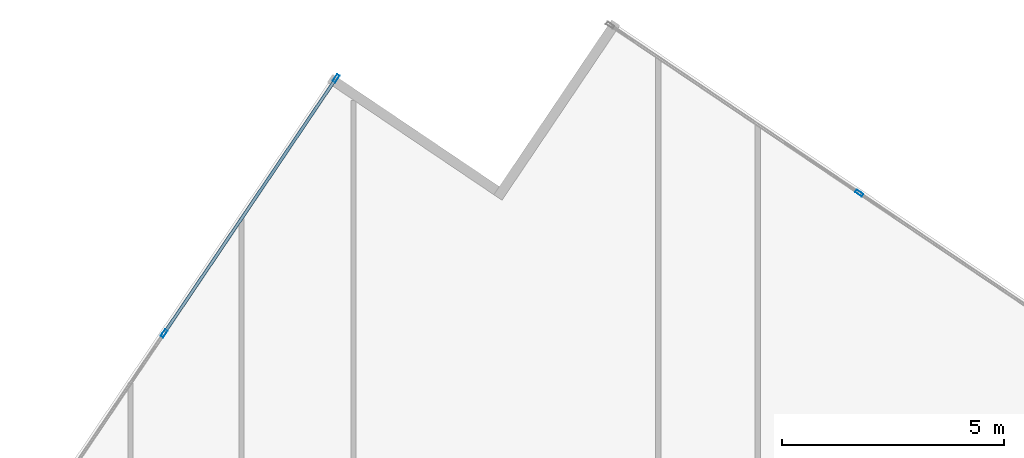
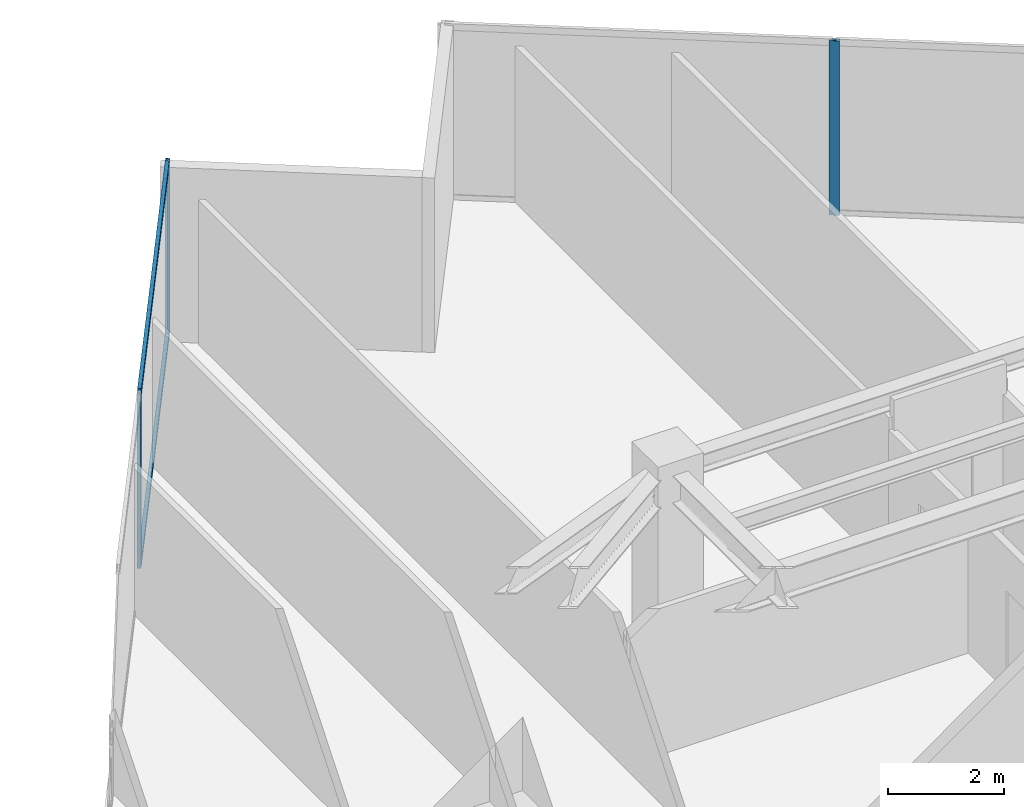
# One storey, part 16 of 27: 5 members, 2 elements without a shape of their own.
"""IFC4 building model written with IfcOpenShell, lengths in metres."""

import ifcopenshell
import ifcopenshell.guid

model = None  # the IFC model being written
_history = None  # IfcOwnerHistory: only IFC2X3 demands one
_inside = {}  # id of a spatial element -> (the spatial element, [elements in it])
_under = {}  # id of a project, library or spatial element -> (it, [spatial elements below it])
_declared = {}  # id of a project -> (the project, [libraries it declares])
_typed = {}  # id of a type object -> (the type object, [elements of that type])
_made_of = {}  # id of a material, layer set ... -> (it, [elements and type objects made of it])


def new_model(schema):
    """Start an empty IFC model of exactly this schema.

    Asked for "IFC4X3", IfcOpenShell would pick the latest addendum, in which some entities
    have other attributes; the version numbers below select the first issue.
    IFC2X3 requires an IfcOwnerHistory on every rooted entity: one is made here for all.
    """
    global model, _history
    if schema == "IFC4X3":
        model = ifcopenshell.file(schema_version=(4, 3, 0, 0))
    else:
        model = ifcopenshell.file(schema=schema)
    _inside.clear()
    _under.clear()
    _declared.clear()
    _typed.clear()
    _made_of.clear()
    _history = None
    if model.schema == "IFC2X3":
        org = make("IfcOrganization", Name="unknown")
        user = make(
            "IfcPersonAndOrganization",
            ThePerson=make("IfcPerson", FamilyName="unknown"),
            TheOrganization=org,
        )
        app = make(
            "IfcApplication",
            ApplicationDeveloper=org,
            Version="unknown",
            ApplicationFullName="unknown",
            ApplicationIdentifier="unknown",
        )
        _history = make(
            "IfcOwnerHistory",
            OwningUser=user,
            OwningApplication=app,
            ChangeAction="ADDED",
            CreationDate=0,
        )
    return model


def make(cls, **values):
    """One entity of the class cls with the attributes given. An attribute that is None is left unset."""
    return model.create_entity(
        cls, **{name: value for name, value in values.items() if value is not None}
    )


def rooted(cls, **values):
    """An entity with a GlobalId (a new one), such as an element, a storey or a relation."""
    return make(cls, GlobalId=ifcopenshell.guid.new(), OwnerHistory=_history, **values)


def si_unit(unit_type, name, prefix=None):
    """IfcSIUnit, for example si_unit("LENGTHUNIT", "METRE", prefix="MILLI")."""
    return make("IfcSIUnit", UnitType=unit_type, Prefix=prefix, Name=name)


def assignment(units):
    """IfcUnitAssignment: the units of a project."""
    return None if units is None else make("IfcUnitAssignment", Units=units)


def point(xyz):
    """IfcCartesianPoint."""
    return None if xyz is None else make("IfcCartesianPoint", Coordinates=xyz)


def direction(xyz):
    """IfcDirection."""
    return None if xyz is None else make("IfcDirection", DirectionRatios=xyz)


def frame(location, z_axis=None, x_axis=None):
    """IfcAxis2Placement3D, a coordinate frame: its origin and axes. An axis left out is left unset."""
    return make(
        "IfcAxis2Placement3D",
        Location=point(location),
        Axis=direction(z_axis),
        RefDirection=direction(x_axis),
    )


def frame_2d(location, x_axis=None):
    """IfcAxis2Placement2D, a coordinate frame in the plane: its origin and x axis."""
    return make(
        "IfcAxis2Placement2D", Location=point(location), RefDirection=direction(x_axis)
    )


def origin():
    """The frame at (0, 0, 0) with its axes left unset."""
    return frame((0.0, 0.0, 0.0))


def origin_2d():
    """The frame at (0, 0) in the plane with its x axis left unset."""
    return frame_2d((0.0, 0.0))


def place(relative_to, where):
    """IfcLocalPlacement: puts the frame where relative to a parent placement (None: the world)."""
    return make(
        "IfcLocalPlacement", PlacementRelTo=relative_to, RelativePlacement=where
    )


def context(
    kind, dimensions, precision=None, world=None, true_north=None, identifier=None
):
    """IfcGeometricRepresentationContext, for example the 3D "Model" context."""
    return make(
        "IfcGeometricRepresentationContext",
        ContextIdentifier=identifier,
        ContextType=kind,
        CoordinateSpaceDimension=dimensions,
        Precision=precision,
        WorldCoordinateSystem=world,
        TrueNorth=true_north,
    )


def subcontext(parent, identifier, kind, view, scale=None):
    """IfcGeometricRepresentationSubContext, for example "Body" below "Model"."""
    return make(
        "IfcGeometricRepresentationSubContext",
        ContextIdentifier=identifier,
        ContextType=kind,
        ParentContext=parent,
        TargetScale=scale,
        TargetView=view,
    )


def project(units=None, contexts=None):
    """IfcProject with its units and contexts."""
    return rooted(
        "IfcProject",
        Name="project",
        RepresentationContexts=contexts,
        UnitsInContext=assignment(units),
    )


def spatial(cls, under=None, at=None, **own):
    """A site, building, storey or space (cls), placed at a placement, below another one or the project."""
    s = rooted(cls, ObjectPlacement=at, **own)
    if under is not None:
        _under.setdefault(under.id(), (under, []))[1].append(s)
    return s


def profile(cls, at=None, kind="AREA", **sizes):
    """A parametric profile (cls). Its sizes go by their IFC names, for example OverallWidth=200.0."""
    return make(cls, ProfileType=kind, Position=at, **sizes)


def hollow_rectangle(**sizes):
    """IfcRectangleHollowProfileDef."""
    return profile("IfcRectangleHollowProfileDef", **sizes)


def extrude(swept, where, along, depth):
    """IfcExtrudedAreaSolid: the profile swept, set in the frame where, extruded along a direction by depth."""
    return make(
        "IfcExtrudedAreaSolid",
        SweptArea=swept,
        Position=where,
        ExtrudedDirection=direction(along),
        Depth=depth,
    )


def shape(context_of_items, identifier, shape_type, items):
    """IfcShapeRepresentation: the items that make up one representation, for example the "Body"."""
    return make(
        "IfcShapeRepresentation",
        ContextOfItems=context_of_items,
        RepresentationIdentifier=identifier,
        RepresentationType=shape_type,
        Items=items,
    )


def source(mapping_origin, context_of_items, identifier, shape_type, items):
    """IfcRepresentationMap: a shape defined once, which mapped items show again and again."""
    return make(
        "IfcRepresentationMap",
        MappingOrigin=mapping_origin,
        MappedRepresentation=shape(context_of_items, identifier, shape_type, items),
    )


def transform(
    local_origin,
    x_axis=None,
    y_axis=None,
    z_axis=None,
    scale=None,
    scale2=None,
    scale3=None,
    uniform=True,
):
    """IfcCartesianTransformationOperator3D, or its non-uniform kind. x_axis, y_axis, z_axis: its Axis1, 2, 3."""
    if uniform:
        return make(
            "IfcCartesianTransformationOperator3D",
            Axis1=direction(x_axis),
            Axis2=direction(y_axis),
            LocalOrigin=point(local_origin),
            Scale=scale,
            Axis3=direction(z_axis),
        )
    return make(
        "IfcCartesianTransformationOperator3DnonUniform",
        Axis1=direction(x_axis),
        Axis2=direction(y_axis),
        LocalOrigin=point(local_origin),
        Scale=scale,
        Axis3=direction(z_axis),
        Scale2=scale2,
        Scale3=scale3,
    )


def mapped(mapping_source, mapping_target):
    """IfcMappedItem: shows the shape of a source again, moved by a transform."""
    return make(
        "IfcMappedItem", MappingSource=mapping_source, MappingTarget=mapping_target
    )


def material(Name=None, Category=None):
    """IfcMaterial."""
    return make("IfcMaterial", Name=Name, Category=Category)


def material_profile(
    of_material, cross_section, Name=None, Category=None, Priority=None
):
    """IfcMaterialProfile: a cross section and its material."""
    return make(
        "IfcMaterialProfile",
        Name=Name,
        Material=of_material,
        Profile=cross_section,
        Priority=Priority,
        Category=Category,
    )


def profile_set(profiles, Name=None, composite=None):
    """IfcMaterialProfileSet."""
    return make(
        "IfcMaterialProfileSet",
        Name=Name,
        MaterialProfiles=profiles,
        CompositeProfile=composite,
    )


def made_of(thing, what):
    """Note that an element or type object is made of a material, layer set ...; save() writes the relation."""
    if what is not None:
        _made_of.setdefault(what.id(), (what, []))[1].append(thing)
    return thing


def type_object(cls, material=None, **own):
    """A type object (cls), such as IfcWallType, which elements share."""
    return made_of(rooted(cls, **own), material)


def type_shapes(of_type, sources):
    """Give a type object the sources (RepresentationMaps) that its elements show as mapped items."""
    of_type.RepresentationMaps = sources


def element(
    cls,
    number,
    at=None,
    inside=None,
    cuts=None,
    type_object=None,
    material=None,
    context=None,
    identifier="Body",
    shape_type=None,
    held_by="IfcProductDefinitionShape",
    body=None,
    shapes=None,
    **own,
):
    """One element of the class cls, such as IfcWall. Its Tag is "e" and its number.

    at: its placement. inside: the storey or other place that contains it. cuts: it is an
    opening in that element (IfcRelVoidsElement). A single representation is given by context,
    identifier, shape_type and body (its items); several are given by shapes. held_by: the class
    of the entity that holds the representations. save() writes the other relations.
    """
    e = rooted(cls, Tag="e%d" % number, ObjectPlacement=at, **own)
    if body is not None:
        shapes = [shape(context, identifier, shape_type, body)]
    if shapes is not None:
        e.Representation = make(held_by, Representations=shapes)
    if inside is not None:
        _inside.setdefault(inside.id(), (inside, []))[1].append(e)
    if cuts is not None:
        rooted(
            "IfcRelVoidsElement", RelatingBuildingElement=cuts, RelatedOpeningElement=e
        )
    if type_object is not None:
        _typed.setdefault(type_object.id(), (type_object, []))[1].append(e)
    return made_of(e, material)


def aggregate(whole, parts):
    """IfcRelAggregates: a whole, such as a stair, and the parts it consists of."""
    return rooted("IfcRelAggregates", RelatingObject=whole, RelatedObjects=parts)


def save(model, path):
    """Write the relations noted so far, then the file.

    IfcRelAggregates (storeys below a building ...), IfcRelContainedInSpatialStructure (elements
    in a storey), IfcRelDefinesByType, IfcRelAssociatesMaterial and IfcRelDeclares: one each for
    every whole, place, type object, material and project.
    """
    for whole, parts in _under.values():
        aggregate(whole, parts)
    for where, things in _inside.values():
        rooted(
            "IfcRelContainedInSpatialStructure",
            RelatedElements=things,
            RelatingStructure=where,
        )
    for kind, things in _typed.values():
        rooted("IfcRelDefinesByType", RelatedObjects=things, RelatingType=kind)
    for what, things in _made_of.values():
        rooted("IfcRelAssociatesMaterial", RelatedObjects=things, RelatingMaterial=what)
    for by, libraries in _declared.values():
        rooted("IfcRelDeclares", RelatingContext=by, RelatedDefinitions=libraries)
    model.write(path)


model = new_model("IFC4")

# Units and contexts
model_context = context("Model", 3, precision=1e-05, world=origin(), true_north=direction((0.0, 1.0)))
body_context = subcontext(model_context, "Body", "Model", "MODEL_VIEW")
ifc_project = project(units=[si_unit("LENGTHUNIT", "METRE"), si_unit("AREAUNIT", "SQUARE_METRE"), si_unit("VOLUMEUNIT", "CUBIC_METRE"), si_unit("PLANEANGLEUNIT", "RADIAN"), si_unit("MASSUNIT", "GRAM", prefix="KILO")], contexts=[model_context])

# Site, building, storey
site_placement = place(None, origin())
site = spatial("IfcSite", under=ifc_project, at=site_placement, CompositionType="ELEMENT")
building_placement = place(site_placement, origin())
building = spatial("IfcBuilding", under=site, at=building_placement, Name="Krantzveldt Concourse Tower", CompositionType="ELEMENT")
storey_placement = place(building_placement, frame((0.0, 0.0, 185.699951171875)))
storey = spatial("IfcBuildingStorey", under=building, at=storey_placement, Name="L45", CompositionType="ELEMENT", Elevation=185.699951171875)

# Curtain wall, members
ifc_material = material(Name="Anodised aluminium 6063-T6", Category="aluminium")
curtain_wall_type = type_object("IfcCurtainWallType", Name="CW3", PredefinedType="USERDEFINED", material=ifc_material)
curtain_wall_1_placement = place(storey_placement, origin())
curtain_wall_1 = element("IfcCurtainWall", 1, at=curtain_wall_1_placement, inside=storey, type_object=curtain_wall_type, Name="CW-L45-F01", ObjectType="UNITISED CURTAIN WALL", PredefinedType="USERDEFINED")
ifc_material_profile_1 = material_profile(ifc_material, hollow_rectangle(XDim=0.070068359375, YDim=0.179931640625, WallThickness=0.0048828125, at=origin_2d()), Name="Anodised aluminium 6063-T6", Category="aluminium")
ifc_profile_set_1 = profile_set([ifc_material_profile_1], Name="Anodised aluminium 6063-T6 - ALU-MULL 180x70x5")
member_type_1 = type_object("IfcMemberType", Name="CW-MUL-180", PredefinedType="MULLION", material=ifc_profile_set_1)
shared_shape_1 = source(origin(), body_context, "Body", "SweptSolid", [
    extrude(hollow_rectangle(XDim=0.070068359375, YDim=0.179931640625, WallThickness=0.0048828125, at=origin_2d()), origin(), (0.0, 0.0, 1.0), 3.670166015625),
])
type_shapes(member_type_1, [shared_shape_1])
member_1_placement = place(storey_placement, frame((27.629150390625, 53.292236328125, 0.0), z_axis=(0.0, 0.0, 1.0), x_axis=(0.829037635301, -0.559192810447, 0.0)))
member_1 = element("IfcMember", 2, at=member_1_placement, type_object=member_type_1, Name="CW-Z34 mullion 1", PredefinedType="MULLION", context=body_context, shape_type="MappedRepresentation", body=[
    mapped(shared_shape_1, transform((0.0, 0.0, 0.0), x_axis=(1.0, 0.0, 0.0), y_axis=(0.0, 1.0, 0.0), z_axis=(0.0, 0.0, 1.0), scale=1.0)),
])
member_2_placement = place(storey_placement, frame((23.756591796875, 47.55126953125, 0.0), z_axis=(0.0, 0.0, 1.0), x_axis=(0.829037635301, -0.559192810447, 0.0)))
member_2 = element("IfcMember", 3, at=member_2_placement, type_object=member_type_1, Name="CW-Z34 mullion 2", PredefinedType="MULLION", context=body_context, shape_type="MappedRepresentation", body=[
    mapped(shared_shape_1, transform((0.0, 0.0, 0.0), x_axis=(1.0, 0.0, 0.0), y_axis=(0.0, 1.0, 0.0), z_axis=(0.0, 0.0, 1.0), scale=1.0)),
])

# Curtain wall, member
curtain_wall_2_placement = place(storey_placement, origin())
curtain_wall_2 = element("IfcCurtainWall", 4, at=curtain_wall_2_placement, inside=storey, type_object=curtain_wall_type, Name="CW-L45-F14", ObjectType="UNITISED CURTAIN WALL", PredefinedType="USERDEFINED")
member_3_placement = place(storey_placement, frame((39.408203125, 50.708740234375, 0.0), z_axis=(0.0, 0.0, 1.0), x_axis=(-0.559192760874, -0.829037668737, 0.0)))
member_3 = element("IfcMember", 5, at=member_3_placement, type_object=member_type_1, Name="CW-Z34 mullion 2", PredefinedType="MULLION", context=body_context, shape_type="MappedRepresentation", body=[
    mapped(shared_shape_1, transform((0.0, 0.0, 0.0), x_axis=(1.0, 0.0, 0.0), y_axis=(0.0, 1.0, 0.0), z_axis=(0.0, 0.0, 1.0), scale=1.0)),
])
aggregate(curtain_wall_2, [member_3])

# Member
ifc_material_profile_2 = material_profile(ifc_material, hollow_rectangle(XDim=0.070068359375, YDim=0.139892578125, WallThickness=0.0048828125, at=origin_2d()), Name="Anodised aluminium 6063-T6", Category="aluminium")
ifc_profile_set_2 = profile_set([ifc_material_profile_2], Name="Anodised aluminium 6063-T6 - ALU-TRAN 140x70x5")
member_type_2 = type_object("IfcMemberType", Name="CW-TRN-150", PredefinedType="USERDEFINED", material=ifc_profile_set_2)
shared_shape_2 = source(origin(), body_context, "Body", "SweptSolid", [
    extrude(hollow_rectangle(XDim=0.070068359375, YDim=0.139892578125, WallThickness=0.0048828125, at=origin_2d()), origin(), (0.0, 0.0, 1.0), 6.85498046875),
])
type_shapes(member_type_2, [shared_shape_2])
member_4_placement = place(storey_placement, frame((27.609375, 53.26318359375, 0.03515625), z_axis=(-0.559187781281, -0.829041027493, 0.0), x_axis=(0.829041027493, -0.559187781281, 0.0)))
member_4 = element("IfcMember", 6, at=member_4_placement, type_object=member_type_2, Name="CW-Z34 transom 1.1", ObjectType="TRANSOM", PredefinedType="USERDEFINED", context=body_context, shape_type="MappedRepresentation", body=[
    mapped(shared_shape_2, transform((0.0, 0.0, 0.0), x_axis=(1.0, 0.0, 0.0), y_axis=(0.0, 1.0, 0.0), z_axis=(0.0, 0.0, 1.0), scale=1.0)),
])

member_5_placement = place(storey_placement, frame((27.609375, 53.26318359375, 3.635009765625), z_axis=(-0.559187781281, -0.829041027493, 0.0), x_axis=(0.829041027493, -0.559187781281, 0.0)))
member_5 = element("IfcMember", 7, at=member_5_placement, type_object=member_type_2, Name="CW-Z34 transom 1.2", ObjectType="TRANSOM", PredefinedType="USERDEFINED", context=body_context, shape_type="MappedRepresentation", body=[
    mapped(shared_shape_2, transform((0.0, 0.0, 0.0), x_axis=(1.0, 0.0, 0.0), y_axis=(0.0, 1.0, 0.0), z_axis=(0.0, 0.0, 1.0), scale=1.0)),
])

aggregate(curtain_wall_1, [member_1, member_2, member_4, member_5])

save(model, "model.ifc")
